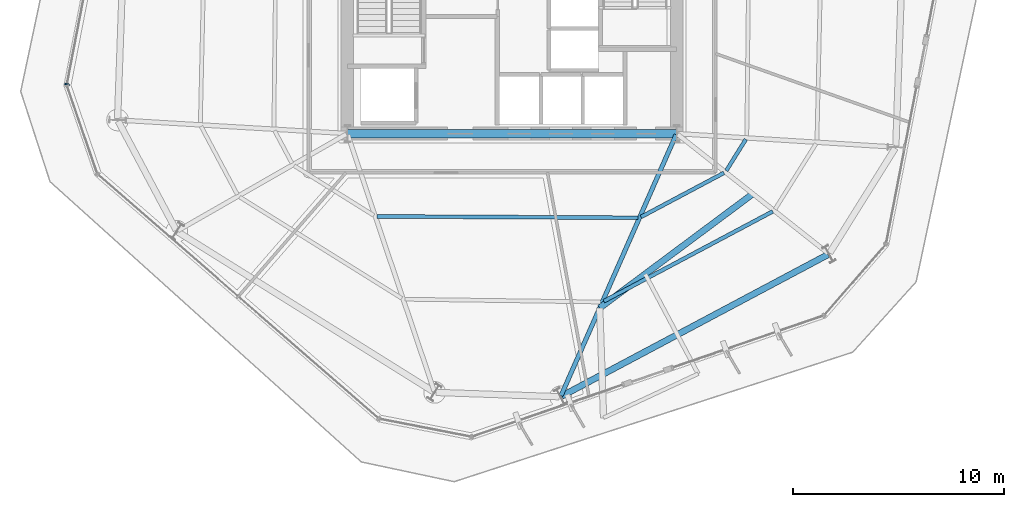
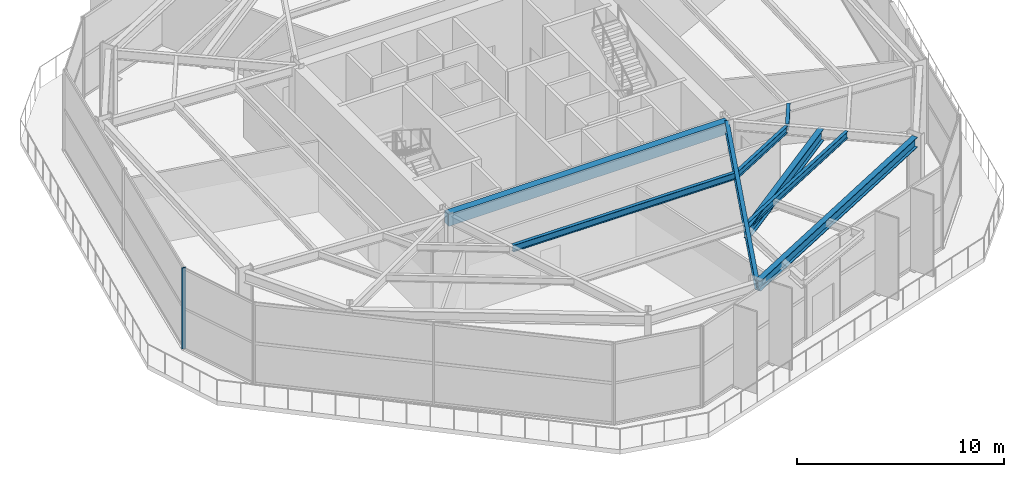
# One storey, part 3 of 16: 8 beams, 1 member, 1 element without a shape of its own.
"""IFC4 building model written with IfcOpenShell, lengths in metres."""

import ifcopenshell
import ifcopenshell.guid

model = None  # the IFC model being written
_history = None  # IfcOwnerHistory: only IFC2X3 demands one
_inside = {}  # id of a spatial element -> (the spatial element, [elements in it])
_under = {}  # id of a project, library or spatial element -> (it, [spatial elements below it])
_declared = {}  # id of a project -> (the project, [libraries it declares])
_typed = {}  # id of a type object -> (the type object, [elements of that type])
_made_of = {}  # id of a material, layer set ... -> (it, [elements and type objects made of it])


def new_model(schema):
    """Start an empty IFC model of exactly this schema.

    Asked for "IFC4X3", IfcOpenShell would pick the latest addendum, in which some entities
    have other attributes; the version numbers below select the first issue.
    IFC2X3 requires an IfcOwnerHistory on every rooted entity: one is made here for all.
    """
    global model, _history
    if schema == "IFC4X3":
        model = ifcopenshell.file(schema_version=(4, 3, 0, 0))
    else:
        model = ifcopenshell.file(schema=schema)
    _inside.clear()
    _under.clear()
    _declared.clear()
    _typed.clear()
    _made_of.clear()
    _history = None
    if model.schema == "IFC2X3":
        org = make("IfcOrganization", Name="unknown")
        user = make(
            "IfcPersonAndOrganization",
            ThePerson=make("IfcPerson", FamilyName="unknown"),
            TheOrganization=org,
        )
        app = make(
            "IfcApplication",
            ApplicationDeveloper=org,
            Version="unknown",
            ApplicationFullName="unknown",
            ApplicationIdentifier="unknown",
        )
        _history = make(
            "IfcOwnerHistory",
            OwningUser=user,
            OwningApplication=app,
            ChangeAction="ADDED",
            CreationDate=0,
        )
    return model


def make(cls, **values):
    """One entity of the class cls with the attributes given. An attribute that is None is left unset."""
    return model.create_entity(
        cls, **{name: value for name, value in values.items() if value is not None}
    )


def rooted(cls, **values):
    """An entity with a GlobalId (a new one), such as an element, a storey or a relation."""
    return make(cls, GlobalId=ifcopenshell.guid.new(), OwnerHistory=_history, **values)


def si_unit(unit_type, name, prefix=None):
    """IfcSIUnit, for example si_unit("LENGTHUNIT", "METRE", prefix="MILLI")."""
    return make("IfcSIUnit", UnitType=unit_type, Prefix=prefix, Name=name)


def assignment(units):
    """IfcUnitAssignment: the units of a project."""
    return None if units is None else make("IfcUnitAssignment", Units=units)


def point(xyz):
    """IfcCartesianPoint."""
    return None if xyz is None else make("IfcCartesianPoint", Coordinates=xyz)


def direction(xyz):
    """IfcDirection."""
    return None if xyz is None else make("IfcDirection", DirectionRatios=xyz)


def frame(location, z_axis=None, x_axis=None):
    """IfcAxis2Placement3D, a coordinate frame: its origin and axes. An axis left out is left unset."""
    return make(
        "IfcAxis2Placement3D",
        Location=point(location),
        Axis=direction(z_axis),
        RefDirection=direction(x_axis),
    )


def frame_2d(location, x_axis=None):
    """IfcAxis2Placement2D, a coordinate frame in the plane: its origin and x axis."""
    return make(
        "IfcAxis2Placement2D", Location=point(location), RefDirection=direction(x_axis)
    )


def origin():
    """The frame at (0, 0, 0) with its axes left unset."""
    return frame((0.0, 0.0, 0.0))


def origin_2d():
    """The frame at (0, 0) in the plane with its x axis left unset."""
    return frame_2d((0.0, 0.0))


def place(relative_to, where):
    """IfcLocalPlacement: puts the frame where relative to a parent placement (None: the world)."""
    return make(
        "IfcLocalPlacement", PlacementRelTo=relative_to, RelativePlacement=where
    )


def context(
    kind, dimensions, precision=None, world=None, true_north=None, identifier=None
):
    """IfcGeometricRepresentationContext, for example the 3D "Model" context."""
    return make(
        "IfcGeometricRepresentationContext",
        ContextIdentifier=identifier,
        ContextType=kind,
        CoordinateSpaceDimension=dimensions,
        Precision=precision,
        WorldCoordinateSystem=world,
        TrueNorth=true_north,
    )


def subcontext(parent, identifier, kind, view, scale=None):
    """IfcGeometricRepresentationSubContext, for example "Body" below "Model"."""
    return make(
        "IfcGeometricRepresentationSubContext",
        ContextIdentifier=identifier,
        ContextType=kind,
        ParentContext=parent,
        TargetScale=scale,
        TargetView=view,
    )


def project(units=None, contexts=None):
    """IfcProject with its units and contexts."""
    return rooted(
        "IfcProject",
        Name="project",
        RepresentationContexts=contexts,
        UnitsInContext=assignment(units),
    )


def spatial(cls, under=None, at=None, **own):
    """A site, building, storey or space (cls), placed at a placement, below another one or the project."""
    s = rooted(cls, ObjectPlacement=at, **own)
    if under is not None:
        _under.setdefault(under.id(), (under, []))[1].append(s)
    return s


def profile(cls, at=None, kind="AREA", **sizes):
    """A parametric profile (cls). Its sizes go by their IFC names, for example OverallWidth=200.0."""
    return make(cls, ProfileType=kind, Position=at, **sizes)


def rectangle(**sizes):
    """IfcRectangleProfileDef."""
    return profile("IfcRectangleProfileDef", **sizes)


def i_section(**sizes):
    """IfcIShapeProfileDef."""
    return profile("IfcIShapeProfileDef", **sizes)


def extrude(swept, where, along, depth):
    """IfcExtrudedAreaSolid: the profile swept, set in the frame where, extruded along a direction by depth."""
    return make(
        "IfcExtrudedAreaSolid",
        SweptArea=swept,
        Position=where,
        ExtrudedDirection=direction(along),
        Depth=depth,
    )


def shape(context_of_items, identifier, shape_type, items):
    """IfcShapeRepresentation: the items that make up one representation, for example the "Body"."""
    return make(
        "IfcShapeRepresentation",
        ContextOfItems=context_of_items,
        RepresentationIdentifier=identifier,
        RepresentationType=shape_type,
        Items=items,
    )


def material(Name=None, Category=None):
    """IfcMaterial."""
    return make("IfcMaterial", Name=Name, Category=Category)


def layer(
    of_material, thickness, ventilated=None, Name=None, Category=None, Priority=None
):
    """IfcMaterialLayer: one layer of a wall or slab, of a material (None: an air gap)."""
    return make(
        "IfcMaterialLayer",
        Material=of_material,
        LayerThickness=thickness,
        IsVentilated=ventilated,
        Name=Name,
        Category=Category,
        Priority=Priority,
    )


def layer_set(layers, Name=None):
    """IfcMaterialLayerSet."""
    return make("IfcMaterialLayerSet", MaterialLayers=layers, LayerSetName=Name)


def material_profile(
    of_material, cross_section, Name=None, Category=None, Priority=None
):
    """IfcMaterialProfile: a cross section and its material."""
    return make(
        "IfcMaterialProfile",
        Name=Name,
        Material=of_material,
        Profile=cross_section,
        Priority=Priority,
        Category=Category,
    )


def profile_set(profiles, Name=None, composite=None):
    """IfcMaterialProfileSet."""
    return make(
        "IfcMaterialProfileSet",
        Name=Name,
        MaterialProfiles=profiles,
        CompositeProfile=composite,
    )


def made_of(thing, what):
    """Note that an element or type object is made of a material, layer set ...; save() writes the relation."""
    if what is not None:
        _made_of.setdefault(what.id(), (what, []))[1].append(thing)
    return thing


def type_object(cls, material=None, **own):
    """A type object (cls), such as IfcWallType, which elements share."""
    return made_of(rooted(cls, **own), material)


def element(
    cls,
    number,
    at=None,
    inside=None,
    cuts=None,
    type_object=None,
    material=None,
    context=None,
    identifier="Body",
    shape_type=None,
    held_by="IfcProductDefinitionShape",
    body=None,
    shapes=None,
    **own,
):
    """One element of the class cls, such as IfcWall. Its Tag is "e" and its number.

    at: its placement. inside: the storey or other place that contains it. cuts: it is an
    opening in that element (IfcRelVoidsElement). A single representation is given by context,
    identifier, shape_type and body (its items); several are given by shapes. held_by: the class
    of the entity that holds the representations. save() writes the other relations.
    """
    e = rooted(cls, Tag="e%d" % number, ObjectPlacement=at, **own)
    if body is not None:
        shapes = [shape(context, identifier, shape_type, body)]
    if shapes is not None:
        e.Representation = make(held_by, Representations=shapes)
    if inside is not None:
        _inside.setdefault(inside.id(), (inside, []))[1].append(e)
    if cuts is not None:
        rooted(
            "IfcRelVoidsElement", RelatingBuildingElement=cuts, RelatedOpeningElement=e
        )
    if type_object is not None:
        _typed.setdefault(type_object.id(), (type_object, []))[1].append(e)
    return made_of(e, material)


def aggregate(whole, parts):
    """IfcRelAggregates: a whole, such as a stair, and the parts it consists of."""
    return rooted("IfcRelAggregates", RelatingObject=whole, RelatedObjects=parts)


def save(model, path):
    """Write the relations noted so far, then the file.

    IfcRelAggregates (storeys below a building ...), IfcRelContainedInSpatialStructure (elements
    in a storey), IfcRelDefinesByType, IfcRelAssociatesMaterial and IfcRelDeclares: one each for
    every whole, place, type object, material and project.
    """
    for whole, parts in _under.values():
        aggregate(whole, parts)
    for where, things in _inside.values():
        rooted(
            "IfcRelContainedInSpatialStructure",
            RelatedElements=things,
            RelatingStructure=where,
        )
    for kind, things in _typed.values():
        rooted("IfcRelDefinesByType", RelatedObjects=things, RelatingType=kind)
    for what, things in _made_of.values():
        rooted("IfcRelAssociatesMaterial", RelatedObjects=things, RelatingMaterial=what)
    for by, libraries in _declared.values():
        rooted("IfcRelDeclares", RelatingContext=by, RelatedDefinitions=libraries)
    model.write(path)


model = new_model("IFC4")

# Units and contexts
model_context = context("Model", 3, precision=1e-05, world=origin(), true_north=direction((0.0, 1.0)))
body_context = subcontext(model_context, "Body", "Model", "MODEL_VIEW")
ifc_project = project(units=[si_unit("LENGTHUNIT", "METRE"), si_unit("AREAUNIT", "SQUARE_METRE"), si_unit("VOLUMEUNIT", "CUBIC_METRE"), si_unit("PLANEANGLEUNIT", "RADIAN"), si_unit("MASSUNIT", "GRAM", prefix="KILO")], contexts=[model_context])

# Site, building, storey
site_placement = place(None, origin())
site = spatial("IfcSite", under=ifc_project, at=site_placement, CompositionType="ELEMENT")
building_placement = place(site_placement, origin())
building = spatial("IfcBuilding", under=site, at=building_placement, Name="Kranzbogen Civic Tower", CompositionType="ELEMENT")
storey_placement = place(building_placement, frame((0.0, 0.0, 97.39990234375)))
storey = spatial("IfcBuildingStorey", under=building, at=storey_placement, Name="L23", CompositionType="ELEMENT", Elevation=97.39990234375)

# Beam
ifc_material_1 = material(Name="Concrete C40/50", Category="concrete")
ifc_material_profile_1 = material_profile(ifc_material_1, rectangle(XDim=0.39990234375, YDim=0.699951171875, at=origin_2d()), Name="RC-BM 400x700")
ifc_profile_set_1 = profile_set([ifc_material_profile_1], Name="Concrete C40/50")
beam_type_1 = type_object("IfcBeamType", Name="Core Coupling Lintel Beam 400x700", PredefinedType="LINTEL", material=ifc_profile_set_1)
beam_1_placement = place(storey_placement, frame((17.199951171875, 17.800048828125, 4.41015625), z_axis=(1.0, 0.0, 0.0), x_axis=(0.0, 1.0, 0.0)))
element("IfcBeam", 1, at=beam_1_placement, inside=storey, type_object=beam_type_1, Name="L23 core South coupling lintel beam", PredefinedType="LINTEL", context=body_context, shape_type="SweptSolid", body=[
    extrude(rectangle(XDim=0.39990234375, YDim=0.699951171875, at=origin_2d()), origin(), (0.0, 0.0, 1.0), 15.60009765625),
])

# Curtain wall, member
ifc_material_2 = material(Name="Pale Anodised Aluminium", Category="aluminium")
ifc_layer = layer(ifc_material_2, 0.219970703125, Name="Pale Anodised Aluminium")
ifc_layer_set = layer_set([ifc_layer], Name="Pale Anodised Aluminium")
curtain_wall_type = type_object("IfcCurtainWallType", Name="Zone 2 Stick Curtain Wall System CW-03", PredefinedType="USERDEFINED", material=ifc_layer_set)
curtain_wall_placement = place(storey_placement, origin())
curtain_wall = element("IfcCurtainWall", 2, at=curtain_wall_placement, inside=storey, type_object=curtain_wall_type, Name="L23 curtain wall CW-L23-F3", ObjectType="STICK CURTAIN WALL", PredefinedType="USERDEFINED")
ifc_material_profile_2 = material_profile(ifc_material_2, rectangle(XDim=0.074951171875, YDim=0.219970703125, at=origin_2d()), Name="ALU-M 75x220")
ifc_profile_set_2 = profile_set([ifc_material_profile_2], Name="Pale Anodised Aluminium")
member_type = type_object("IfcMemberType", Name="Curtain Wall Mullion ALU-M 75x220", PredefinedType="MULLION", material=ifc_profile_set_2)
member_placement = place(storey_placement, frame((3.91064453125, 20.13037109375, 0.0), z_axis=(0.0, 0.0, 1.0), x_axis=(-0.190845421179, -0.981620102288, 0.0)))
member = element("IfcMember", 3, at=member_placement, type_object=member_type, Name="CW-03 mullion 3", PredefinedType="MULLION", context=body_context, shape_type="SweptSolid", body=[
    extrude(rectangle(XDim=0.074951171875, YDim=0.219970703125, at=origin_2d()), origin(), (0.0, 0.0, 1.0), 4.760009765625),
])
aggregate(curtain_wall, [member])

# Beams
ifc_material_3 = material(Name="Steel S355", Category="steel")
ifc_material_profile_3 = material_profile(ifc_material_3, i_section(OverallWidth=0.300048828125, OverallDepth=0.60009765625, WebThickness=0.015380859375, FlangeThickness=0.030029296875, at=origin_2d()), Name="HEB 600")
ifc_profile_set_3 = profile_set([ifc_material_profile_3], Name="Steel S355")
beam_type_2 = type_object("IfcBeamType", Name="Perimeter Tube Spandrel Beam HEB 600", PredefinedType="SPANDREL", material=ifc_profile_set_3)
beam_2_placement = place(storey_placement, frame((27.35400390625, 5.35595703125, 4.460205078125), z_axis=(0.882948194046, 0.469470432116, 0.0), x_axis=(-0.469470432116, 0.882948194046, 0.0)))
element("IfcBeam", 4, at=beam_2_placement, inside=storey, type_object=beam_type_2, Name="L23 perimeter spandrel beam 04", PredefinedType="SPANDREL", context=body_context, shape_type="SweptSolid", body=[
    extrude(i_section(OverallWidth=0.300048828125, OverallDepth=0.60009765625, WebThickness=0.015380859375, FlangeThickness=0.030029296875, at=origin_2d()), origin(), (0.0, 0.0, 1.0), 14.28857421875),
])
ifc_material_profile_4 = material_profile(ifc_material_3, i_section(OverallWidth=0.300048828125, OverallDepth=0.699951171875, WebThickness=0.01708984375, FlangeThickness=0.031982421875, at=origin_2d()), Name="HEB 700")
ifc_profile_set_4 = profile_set([ifc_material_profile_4], Name="Steel S355")
beam_type_3 = type_object("IfcBeamType", Name="Perimeter Tube Spandrel Beam HEB 700", PredefinedType="SPANDREL", material=ifc_profile_set_4)
beam_3_placement = place(storey_placement, frame((29.156982421875, 9.537109375, 4.400146484375), z_axis=(0.801896259305, 0.597463295369, 0.0), x_axis=(-0.597463295369, 0.801896259305, 0.0)))
element("IfcBeam", 5, at=beam_3_placement, inside=storey, type_object=beam_type_3, Name="L24 balcony back-span header girder L24-TB1", PredefinedType="SPANDREL", context=body_context, shape_type="SweptSolid", body=[
    extrude(i_section(OverallWidth=0.300048828125, OverallDepth=0.699951171875, WebThickness=0.01708984375, FlangeThickness=0.031982421875, at=origin_2d()), origin(), (0.0, 0.0, 1.0), 9.0498046875),
])
ifc_material_profile_5 = material_profile(ifc_material_3, i_section(OverallWidth=0.2099609375, OverallDepth=0.550048828125, WebThickness=0.010986328125, FlangeThickness=0.01708984375, at=origin_2d()), Name="IPE 550")
ifc_profile_set_5 = profile_set([ifc_material_profile_5], Name="Steel S355")
beam_type_4 = type_object("IfcBeamType", Name="Radial Tower Floor Girder IPE 550", PredefinedType="BEAM", material=ifc_profile_set_5)
beam_4_placement = place(storey_placement, frame((27.324951171875, 5.383056640625, 4.485107421875), z_axis=(0.403459127705, 0.914997667905, 0.0), x_axis=(-0.914997667905, 0.403459127705, 0.0)))
element("IfcBeam", 6, at=beam_4_placement, inside=storey, type_object=beam_type_4, Name="L23 radial floor girder 04", PredefinedType="BEAM", context=body_context, shape_type="SweptSolid", body=[
    extrude(i_section(OverallWidth=0.2099609375, OverallDepth=0.550048828125, WebThickness=0.010986328125, FlangeThickness=0.01708984375, at=origin_2d()), origin(), (0.0, 0.0, 1.0), 13.510498046875),
])
ifc_material_profile_6 = material_profile(ifc_material_3, i_section(OverallWidth=0.179931640625, OverallDepth=0.39990234375, WebThickness=0.008544921875, FlangeThickness=0.013427734375, at=origin_2d()), Name="IPE 400")
ifc_profile_set_6 = profile_set([ifc_material_profile_6], Name="Steel S355")
beam_type_5 = type_object("IfcBeamType", Name="Secondary Composite Floor Joist IPE 400", PredefinedType="JOIST", material=ifc_profile_set_6)
beam_5_placement = place(storey_placement, frame((18.60205078125, 13.875, 4.56005859375), z_axis=(0.999985774147, -0.005333995002, 0.0), x_axis=(0.005333995002, 0.999985774147, 0.0)))
element("IfcBeam", 7, at=beam_5_placement, inside=storey, type_object=beam_type_5, Name="L23 secondary floor joist 2.03", PredefinedType="JOIST", context=body_context, shape_type="SweptSolid", body=[
    extrude(i_section(OverallWidth=0.179931640625, OverallDepth=0.39990234375, WebThickness=0.008544921875, FlangeThickness=0.013427734375, at=origin_2d()), origin(), (0.0, 0.0, 1.0), 12.358154296875),
])
beam_6_placement = place(storey_placement, frame((29.35107421875, 9.85498046875, 4.56005859375), z_axis=(0.882960787661, 0.469446746131, 0.0), x_axis=(-0.469446746131, 0.882960787661, 0.0)))
element("IfcBeam", 8, at=beam_6_placement, inside=storey, type_object=beam_type_5, Name="L23 secondary floor joist 1.04", PredefinedType="JOIST", context=body_context, shape_type="SweptSolid", body=[
    extrude(i_section(OverallWidth=0.179931640625, OverallDepth=0.39990234375, WebThickness=0.008544921875, FlangeThickness=0.013427734375, at=origin_2d()), origin(), (0.0, 0.0, 1.0), 9.0615234375),
])
beam_7_placement = place(storey_placement, frame((31.111083984375, 13.846923828125, 4.56005859375), z_axis=(0.882991399158, 0.469389165844, 0.0), x_axis=(-0.469389165844, 0.882991399158, 0.0)))
element("IfcBeam", 9, at=beam_7_placement, inside=storey, type_object=beam_type_5, Name="L23 secondary floor joist 2.04", PredefinedType="JOIST", context=body_context, shape_type="SweptSolid", body=[
    extrude(i_section(OverallWidth=0.179931640625, OverallDepth=0.39990234375, WebThickness=0.008544921875, FlangeThickness=0.013427734375, at=origin_2d()), origin(), (0.0, 0.0, 1.0), 4.45068359375),
])
beam_8_placement = place(storey_placement, frame((35.154052734375, 16.041015625, 4.56005859375), z_axis=(0.529572623603, 0.84826460278, 0.0), x_axis=(-0.84826460278, 0.529572623603, 0.0)))
element("IfcBeam", 10, at=beam_8_placement, inside=storey, type_object=beam_type_5, Name="L23 secondary floor joist 2.05", PredefinedType="JOIST", context=body_context, shape_type="SweptSolid", body=[
    extrude(i_section(OverallWidth=0.179931640625, OverallDepth=0.39990234375, WebThickness=0.008544921875, FlangeThickness=0.013427734375, at=origin_2d()), origin(), (0.0, 0.0, 1.0), 1.75048828125),
])

save(model, "model.ifc")
